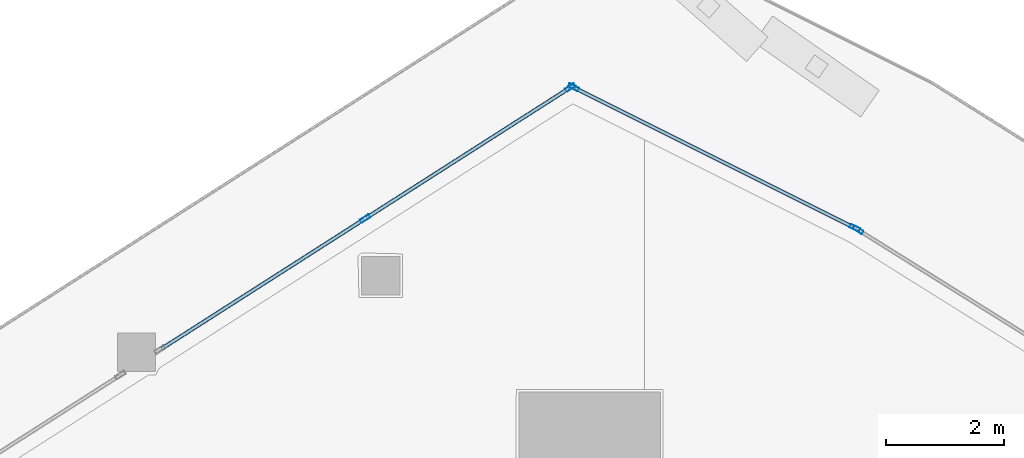
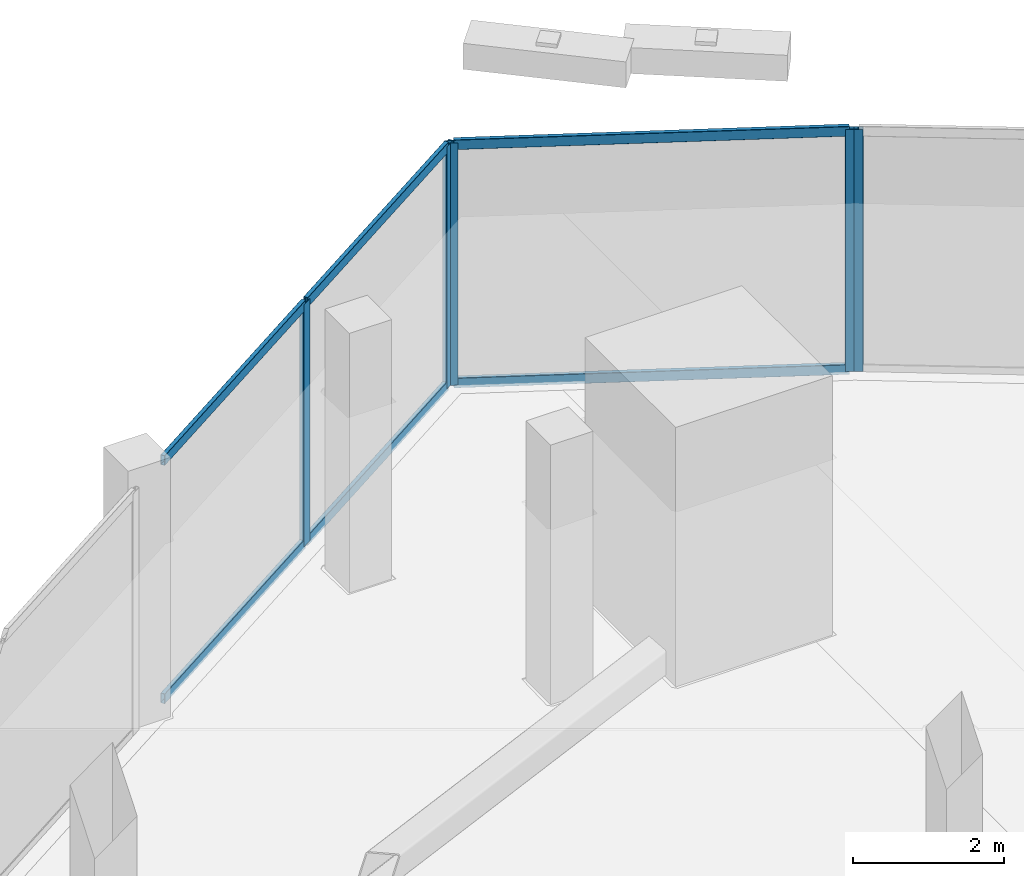
# One storey, part 26 of 43: 11 members, 3 elements without a shape of their own.
"""IFC4 building model written with IfcOpenShell, lengths in metres."""

from ifc_helpers import new_model, si_unit, direction, frame, origin, origin_2d, place, context, subcontext, project, spatial, hollow_rectangle, extrude, material, layer, layer_set, material_profile, profile_set, type_object, element, aggregate, save


model = new_model("IFC4")

# Units and contexts
model_context = context("Model", 3, precision=1e-05, world=origin(), true_north=direction((0.0, 1.0)))
body_context = subcontext(model_context, "Body", "Model", "MODEL_VIEW")
ifc_project = project(units=[si_unit("LENGTHUNIT", "METRE"), si_unit("AREAUNIT", "SQUARE_METRE"), si_unit("VOLUMEUNIT", "CUBIC_METRE"), si_unit("PLANEANGLEUNIT", "RADIAN"), si_unit("MASSUNIT", "GRAM", prefix="KILO")], contexts=[model_context])

# Site, building, storey
site_placement = place(None, origin())
site = spatial("IfcSite", under=ifc_project, at=site_placement, CompositionType="ELEMENT")
building_placement = place(site_placement, origin())
building = spatial("IfcBuilding", under=site, at=building_placement, Name="Qorvath Tower", CompositionType="ELEMENT")
storey_placement = place(building_placement, frame((0.0, 0.0, 36.60009765625)))
storey = spatial("IfcBuildingStorey", under=building, at=storey_placement, Name="L07", CompositionType="ELEMENT", Elevation=36.60009765625)

# Curtain wall, member
ifc_material_1 = material(Name="Anodised aluminium and triple low-E glass", Category="aluminium")
ifc_layer = layer(ifc_material_1, 0.179931640625)
ifc_layer_set = layer_set([ifc_layer], Name="CW-SYS-2")
curtain_wall_type = type_object("IfcCurtainWallType", Name="CW-SYS-2", PredefinedType="NOTDEFINED", material=ifc_layer_set)
curtain_wall_1_placement = place(storey_placement, origin())
curtain_wall_1 = element("IfcCurtainWall", 1, at=curtain_wall_1_placement, inside=storey, type_object=curtain_wall_type, Name="Curtain Wall CW-2 CW-T-L07-14.1", PredefinedType="NOTDEFINED")
ifc_material_2 = material(Name="Anodised aluminium 6063-T6", Category="aluminium")
ifc_material_profile_1 = material_profile(ifc_material_2, hollow_rectangle(XDim=0.06494140625, YDim=0.179931640625, WallThickness=0.00341796875, InnerFilletRadius=0.00341796875, OuterFilletRadius=0.007080078125, at=origin_2d()), Name="CWM 180x65")
ifc_profile_set_1 = profile_set([ifc_material_profile_1], Name="Anodised aluminium 6063-T6")
member_type_1 = type_object("IfcMemberType", Name="CWM-180", PredefinedType="MULLION", material=ifc_profile_set_1)
member_1_placement = place(storey_placement, frame((-9.92529296875, 31.2744140625, 0.0), z_axis=(0.0, 0.0, 1.0), x_axis=(-0.529769187701, -0.848141855919, 0.0)))
member_1 = element("IfcMember", 2, at=member_1_placement, type_object=member_type_1, Name="CW-2 mullion 3", PredefinedType="MULLION", context=body_context, shape_type="SweptSolid", body=[
    extrude(hollow_rectangle(XDim=0.06494140625, YDim=0.179931640625, WallThickness=0.00341796875, InnerFilletRadius=0.00341796875, OuterFilletRadius=0.007080078125, at=origin_2d()), origin(), (0.0, 0.0, 1.0), 3.919921875),
])
aggregate(curtain_wall_1, [member_1])

# Curtain wall, members
curtain_wall_2_placement = place(storey_placement, origin())
curtain_wall_2 = element("IfcCurtainWall", 3, at=curtain_wall_2_placement, inside=storey, type_object=curtain_wall_type, Name="Curtain Wall CW-2 CW-T-L07-15.1", PredefinedType="NOTDEFINED")
member_2_placement = place(storey_placement, frame((-9.98193359375, 31.30615234375, 0.0), z_axis=(0.0, 0.0, 1.0), x_axis=(-0.447198732162, -0.894434622514, 0.0)))
member_2 = element("IfcMember", 4, at=member_2_placement, type_object=member_type_1, Name="CW-2 mullion 1", PredefinedType="MULLION", context=body_context, shape_type="SweptSolid", body=[
    extrude(hollow_rectangle(XDim=0.06494140625, YDim=0.179931640625, WallThickness=0.00341796875, InnerFilletRadius=0.00341796875, OuterFilletRadius=0.007080078125, at=origin_2d()), origin(), (0.0, 0.0, 1.0), 3.919921875),
])
member_3_placement = place(storey_placement, frame((-14.738037109375, 33.68408203125, 0.0), z_axis=(0.0, 0.0, 1.0), x_axis=(-0.447198732162, -0.894434622514, 0.0)))
member_3 = element("IfcMember", 5, at=member_3_placement, type_object=member_type_1, Name="CW-2 mullion 2", PredefinedType="MULLION", context=body_context, shape_type="SweptSolid", body=[
    extrude(hollow_rectangle(XDim=0.06494140625, YDim=0.179931640625, WallThickness=0.00341796875, InnerFilletRadius=0.00341796875, OuterFilletRadius=0.007080078125, at=origin_2d()), origin(), (0.0, 0.0, 1.0), 3.919921875),
])

curtain_wall_3_placement = place(storey_placement, origin())
curtain_wall_3 = element("IfcCurtainWall", 6, at=curtain_wall_3_placement, inside=storey, type_object=curtain_wall_type, Name="Curtain Wall CW-2 CW-T-L07-16.1", PredefinedType="NOTDEFINED")
member_4_placement = place(storey_placement, frame((-14.79443359375, 33.68115234375, 0.0), z_axis=(0.0, 0.0, 1.0), x_axis=(0.538538747669, -0.842600746059, 0.0)))
member_4 = element("IfcMember", 7, at=member_4_placement, type_object=member_type_1, Name="CW-2 mullion 1", PredefinedType="MULLION", context=body_context, shape_type="SweptSolid", body=[
    extrude(hollow_rectangle(XDim=0.06494140625, YDim=0.179931640625, WallThickness=0.00341796875, InnerFilletRadius=0.00341796875, OuterFilletRadius=0.007080078125, at=origin_2d()), origin(), (0.0, 0.0, 1.0), 3.919921875),
])
member_5_placement = place(storey_placement, frame((-18.26416015625, 31.463623046875, 0.0), z_axis=(0.0, 0.0, 1.0), x_axis=(0.538538747669, -0.842600746059, 0.0)))
member_5 = element("IfcMember", 8, at=member_5_placement, type_object=member_type_1, Name="CW-2 mullion 2", PredefinedType="MULLION", context=body_context, shape_type="SweptSolid", body=[
    extrude(hollow_rectangle(XDim=0.06494140625, YDim=0.179931640625, WallThickness=0.00341796875, InnerFilletRadius=0.00341796875, OuterFilletRadius=0.007080078125, at=origin_2d()), origin(), (0.0, 0.0, 1.0), 3.919921875),
])

# Member
ifc_material_3 = material(Name="Anodised aluminium 6063-T6", Category="aluminium")
ifc_material_profile_2 = material_profile(ifc_material_3, hollow_rectangle(XDim=0.06494140625, YDim=0.159912109375, WallThickness=0.00341796875, InnerFilletRadius=0.00341796875, OuterFilletRadius=0.007080078125, at=origin_2d()), Name="CWT 160x65")
ifc_profile_set_2 = profile_set([ifc_material_profile_2], Name="Anodised aluminium 6063-T6")
member_type_2 = type_object("IfcMemberType", Name="CWT-160", PredefinedType="USERDEFINED", material=ifc_profile_set_2)
member_6_placement = place(storey_placement, frame((-10.010986328125, 31.32080078125, 0.032470703125), z_axis=(-0.894436487034, 0.447195002949, 0.0), x_axis=(-0.447195002949, -0.894436487034, 0.0)))
member_6 = element("IfcMember", 9, at=member_6_placement, type_object=member_type_2, Name="CW-2 transom 1.1", ObjectType="TRANSOM", PredefinedType="USERDEFINED", context=body_context, shape_type="SweptSolid", body=[
    extrude(hollow_rectangle(XDim=0.06494140625, YDim=0.159912109375, WallThickness=0.00341796875, InnerFilletRadius=0.00341796875, OuterFilletRadius=0.007080078125, at=origin_2d()), origin(), (0.0, 0.0, 1.0), 5.25244140625),
])

member_7_placement = place(storey_placement, frame((-10.010986328125, 31.32080078125, 3.887451171875), z_axis=(-0.894436487034, 0.447195002949, 0.0), x_axis=(-0.447195002949, -0.894436487034, 0.0)))
member_7 = element("IfcMember", 10, at=member_7_placement, type_object=member_type_2, Name="CW-2 transom 1.2", ObjectType="TRANSOM", PredefinedType="USERDEFINED", context=body_context, shape_type="SweptSolid", body=[
    extrude(hollow_rectangle(XDim=0.06494140625, YDim=0.159912109375, WallThickness=0.00341796875, InnerFilletRadius=0.00341796875, OuterFilletRadius=0.007080078125, at=origin_2d()), origin(), (0.0, 0.0, 1.0), 5.25244140625),
])

aggregate(curtain_wall_2, [member_2, member_3, member_6, member_7])

member_8_placement = place(storey_placement, frame((-14.82177734375, 33.66357421875, 0.032470703125), z_axis=(-0.842635519442, -0.538484337167, 0.0), x_axis=(0.538484337167, -0.842635519442, 0.0)))
member_8 = element("IfcMember", 11, at=member_8_placement, type_object=member_type_2, Name="CW-2 transom 1.1", ObjectType="TRANSOM", PredefinedType="USERDEFINED", context=body_context, shape_type="SweptSolid", body=[
    extrude(hollow_rectangle(XDim=0.06494140625, YDim=0.159912109375, WallThickness=0.00341796875, InnerFilletRadius=0.00341796875, OuterFilletRadius=0.007080078125, at=origin_2d()), origin(), (0.0, 0.0, 1.0), 4.052734375),
])

member_9_placement = place(storey_placement, frame((-14.82177734375, 33.66357421875, 3.887451171875), z_axis=(-0.842635519442, -0.538484337167, 0.0), x_axis=(0.538484337167, -0.842635519442, 0.0)))
member_9 = element("IfcMember", 12, at=member_9_placement, type_object=member_type_2, Name="CW-2 transom 1.2", ObjectType="TRANSOM", PredefinedType="USERDEFINED", context=body_context, shape_type="SweptSolid", body=[
    extrude(hollow_rectangle(XDim=0.06494140625, YDim=0.159912109375, WallThickness=0.00341796875, InnerFilletRadius=0.00341796875, OuterFilletRadius=0.007080078125, at=origin_2d()), origin(), (0.0, 0.0, 1.0), 4.052734375),
])

member_10_placement = place(storey_placement, frame((-18.29150390625, 31.446044921875, 0.032470703125), z_axis=(-0.842608185635, -0.53852710749, 0.0), x_axis=(0.53852710749, -0.842608185635, 0.0)))
member_10 = element("IfcMember", 13, at=member_10_placement, type_object=member_type_2, Name="CW-2 transom 2.1", ObjectType="TRANSOM", PredefinedType="USERDEFINED", context=body_context, shape_type="SweptSolid", body=[
    extrude(hollow_rectangle(XDim=0.06494140625, YDim=0.159912109375, WallThickness=0.00341796875, InnerFilletRadius=0.00341796875, OuterFilletRadius=0.007080078125, at=origin_2d()), origin(), (0.0, 0.0, 1.0), 4.052978515625),
])

member_11_placement = place(storey_placement, frame((-18.29150390625, 31.446044921875, 3.887451171875), z_axis=(-0.842608185635, -0.53852710749, 0.0), x_axis=(0.53852710749, -0.842608185635, 0.0)))
member_11 = element("IfcMember", 14, at=member_11_placement, type_object=member_type_2, Name="CW-2 transom 2.2", ObjectType="TRANSOM", PredefinedType="USERDEFINED", context=body_context, shape_type="SweptSolid", body=[
    extrude(hollow_rectangle(XDim=0.06494140625, YDim=0.159912109375, WallThickness=0.00341796875, InnerFilletRadius=0.00341796875, OuterFilletRadius=0.007080078125, at=origin_2d()), origin(), (0.0, 0.0, 1.0), 4.052978515625),
])

aggregate(curtain_wall_3, [member_4, member_5, member_8, member_9, member_10, member_11])

save(model, "model.ifc")
